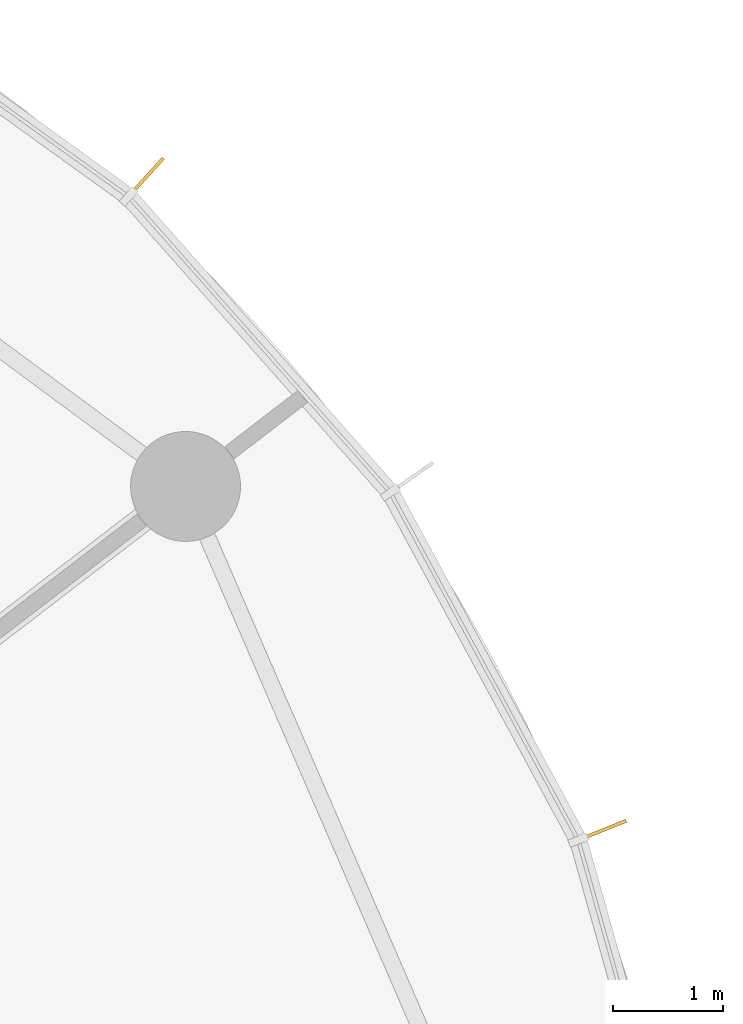
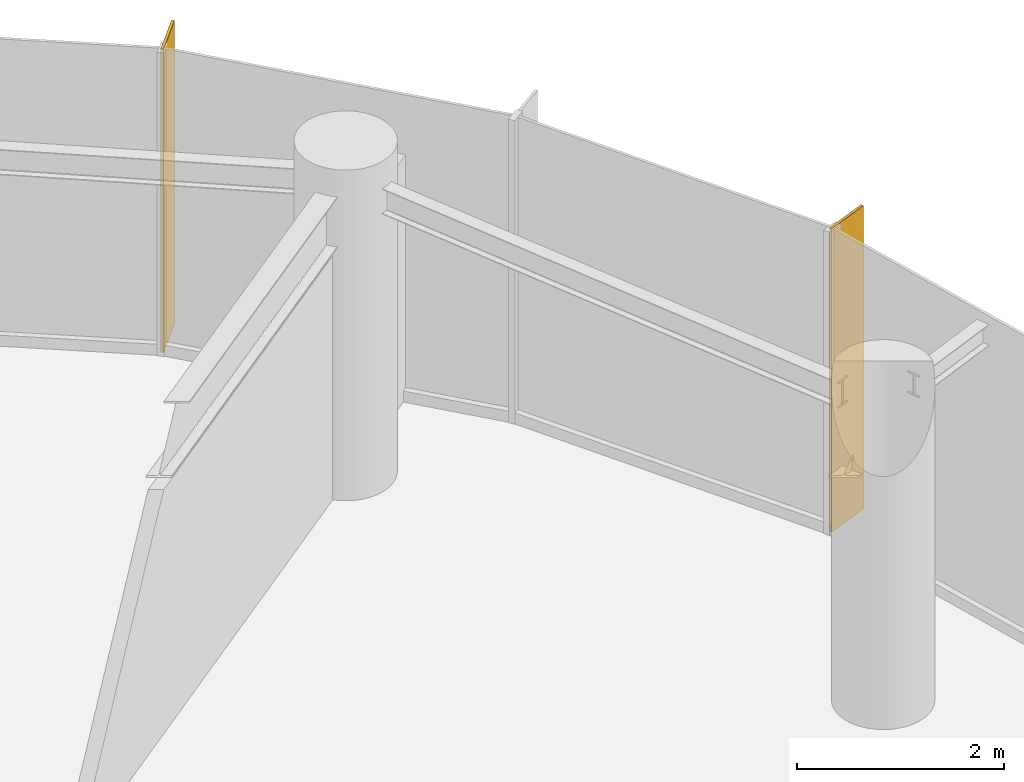
# One storey, part 15 of 15: 2 shading devices.
"""IFC4 building model written with IfcOpenShell, lengths in metres."""

from ifc_helpers import new_model, si_unit, direction, frame, origin, origin_2d, place, context, subcontext, project, spatial, rectangle, extrude, source, transform, mapped, material, material_profile, profile_set, type_object, element, save


model = new_model("IFC4")

# Units and contexts
model_context = context("Model", 3, precision=1e-05, world=origin(), true_north=direction((0.0, 1.0)))
body_context = subcontext(model_context, "Body", "Model", "MODEL_VIEW")
ifc_project = project(units=[si_unit("LENGTHUNIT", "METRE"), si_unit("AREAUNIT", "SQUARE_METRE"), si_unit("VOLUMEUNIT", "CUBIC_METRE"), si_unit("PLANEANGLEUNIT", "RADIAN"), si_unit("MASSUNIT", "GRAM", prefix="KILO")], contexts=[model_context])

# Site, building, storey
site_placement = place(None, origin())
site = spatial("IfcSite", under=ifc_project, at=site_placement, CompositionType="ELEMENT")
building_placement = place(site_placement, origin())
building = spatial("IfcBuilding", under=site, at=building_placement, Name="Spindrift Exchange Tower", CompositionType="ELEMENT")
storey_placement = place(building_placement, frame((0.0, 0.0, 172.10009765625)))
storey = spatial("IfcBuildingStorey", under=building, at=storey_placement, Name="L41", CompositionType="ELEMENT", Elevation=172.10009765625)

# Shading devices
ifc_material = material(Name="Bronze anodised aluminium", Category="aluminium")
ifc_material_profile = material_profile(ifc_material, rectangle(XDim=0.030029296875, YDim=0.5, at=origin_2d()), Name="WIND FIN 30X500")
ifc_profile_set = profile_set([ifc_material_profile], Name="Bronze anodised aluminium")
shading_device_type = type_object("IfcShadingDeviceType", Name="WIND FIN 30X500", PredefinedType="USERDEFINED", material=ifc_profile_set)
shared_shape = source(origin(), body_context, "Body", "SweptSolid", [
    extrude(rectangle(XDim=0.030029296875, YDim=0.5, at=origin_2d()), origin(), (0.0, 0.0, 1.0), 3.579833984375),
])
for number, where, z_axis, x_axis, name in (
    (1, (71.455078125, 66.013427734375, 0.0), (0.0, 0.0, 1.0), (-0.741568504056, 0.670877152534, 0.0), "L41 wind fin 3"),
    (2, (75.602783203125, 60.078369140625, 0.0), (0.0, 0.0, 1.0), (-0.375124372117, 0.92697449018, 0.0), "L41 wind fin 4"),
):
    element("IfcShadingDevice", number, at=place(storey_placement, frame(where, z_axis=z_axis, x_axis=x_axis)), inside=storey, type_object=shading_device_type, Name=name, ObjectType="FIN", PredefinedType="USERDEFINED", context=body_context, shape_type="MappedRepresentation", body=[
        mapped(shared_shape, transform((0.0, 0.0, 0.0), scale=1.0)),
    ])

save(model, "model.ifc")
